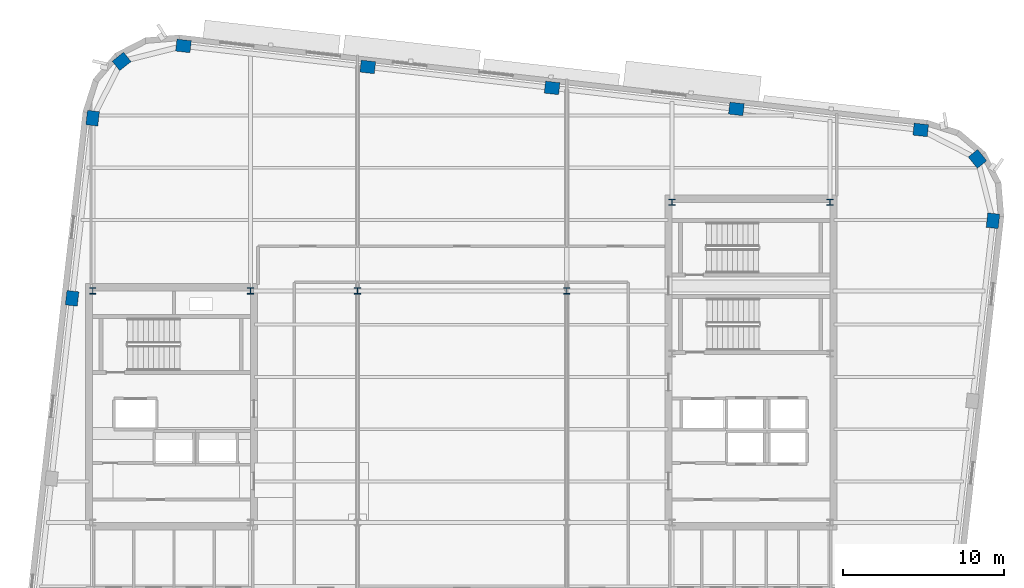
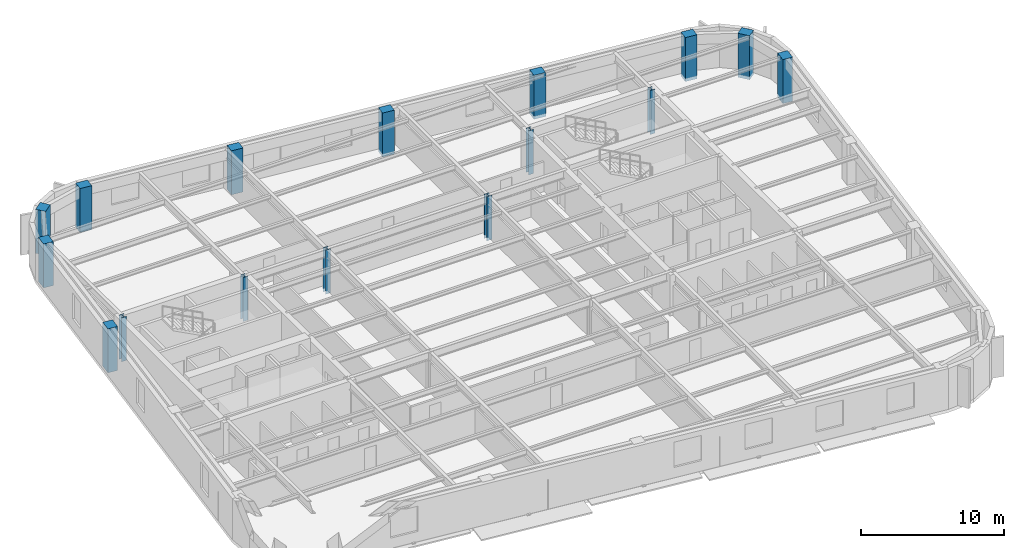
# One storey, part 2 of 14: 16 columns.
"""IFC4 building model written with IfcOpenShell, lengths in metres."""

from ifc_helpers import new_model, si_unit, direction, frame, origin, origin_2d, place, context, subcontext, project, spatial, rectangle, i_section, extrude, material, material_profile, profile_set, type_object, element, save


model = new_model("IFC4")

# Units and contexts
model_context = context("Model", 3, precision=1e-05, world=origin(), true_north=direction((0.0, 1.0)))
body_context = subcontext(model_context, "Body", "Model", "MODEL_VIEW")
ifc_project = project(units=[si_unit("LENGTHUNIT", "METRE"), si_unit("AREAUNIT", "SQUARE_METRE"), si_unit("VOLUMEUNIT", "CUBIC_METRE"), si_unit("PLANEANGLEUNIT", "RADIAN"), si_unit("MASSUNIT", "GRAM", prefix="KILO")], contexts=[model_context])

# Site, building, storey
site_placement = place(None, origin())
site = spatial("IfcSite", under=ifc_project, at=site_placement, CompositionType="ELEMENT")
building_placement = place(site_placement, origin())
building = spatial("IfcBuilding", under=site, at=building_placement, Name="Kolvaren Arena Tower", CompositionType="ELEMENT")
storey_placement = place(building_placement, frame((0.0, 0.0, 235.949951171875)))
storey = spatial("IfcBuildingStorey", under=building, at=storey_placement, Name="L57", CompositionType="ELEMENT", Elevation=235.949951171875)

# Columns
ifc_material_1 = material(Name="Precast concrete C55/67", Category="concrete")
ifc_material_profile_1 = material_profile(ifc_material_1, rectangle(XDim=0.89990234375, YDim=0.75, at=origin_2d()), Name="RC-900x750")
ifc_profile_set_1 = profile_set([ifc_material_profile_1], Name="Precast concrete C55/67")
column_type_1 = type_object("IfcColumnType", Name="EXCOL-Z4", PredefinedType="COLUMN", material=ifc_profile_set_1)
for number, where, z_axis, x_axis, name in (
    (1, (70.482177734375, 38.20458984375, -0.27001953125), (0.0, 0.0, 1.0), (0.113203213768, 0.993571855677, 0.0), "Exoskeleton Perimeter Column 10 (L57)"),
    (2, (69.519775390625, 42.047119140625, -0.27001953125), (0.0, 0.0, 1.0), (-0.622514636638, 0.782608156852, 0.0), "Exoskeleton Perimeter Column 11 (L57)"),
    (3, (65.9921875, 43.84912109375, -0.27001953125), (0.0, 0.0, 1.0), (0.993571855677, -0.113203213768, 0.0), "Exoskeleton Perimeter Column 12 (L57)"),
    (4, (54.54150390625, 45.15380859375, -0.27001953125), (0.0, 0.0, 1.0), (0.993571855677, -0.113203213768, 0.0), "Exoskeleton Perimeter Column 13 (L57)"),
    (5, (43.090576171875, 46.45849609375, -0.27001953125), (0.0, 0.0, 1.0), (0.993571855677, -0.113203213768, 0.0), "Exoskeleton Perimeter Column 14 (L57)"),
    (6, (31.6396484375, 47.76318359375, -0.27001953125), (0.0, 0.0, 1.0), (0.993571855677, -0.113203213768, 0.0), "Exoskeleton Perimeter Column 15 (L57)"),
    (7, (20.188720703125, 49.06787109375, -0.27001953125), (0.0, 0.0, 1.0), (0.993571855677, -0.113203213768, 0.0), "Exoskeleton Perimeter Column 16 (L57)"),
    (8, (16.34619140625, 48.10546875, -0.27001953125), (0.0, 0.0, 1.0), (0.782608156852, 0.622514636638, 0.0), "Exoskeleton Perimeter Column 17 (L57)"),
    (9, (14.544189453125, 44.577880859375, -0.27001953125), (0.0, 0.0, 1.0), (0.113203213768, 0.993571855677, 0.0), "Exoskeleton Perimeter Column 18 (L57)"),
    (10, (13.268798828125, 33.3837890625, -0.27001953125), (0.0, 0.0, 1.0), (0.113203213768, 0.993571855677, 0.0), "Exoskeleton Perimeter Column 19 (L57)"),
):
    element("IfcColumn", number, at=place(storey_placement, frame(where, z_axis=z_axis, x_axis=x_axis)), inside=storey, type_object=column_type_1, Name=name, PredefinedType="COLUMN", context=body_context, shape_type="SweptSolid", body=[
        extrude(rectangle(XDim=0.89990234375, YDim=0.75, at=origin_2d()), origin(), (0.0, 0.0, 1.0), 3.75),
    ])
ifc_material_2 = material(Name="Steel ASTM A913 Grade 65", Category="steel")
ifc_material_profile_2 = material_profile(ifc_material_2, i_section(OverallWidth=0.39892578125, OverallDepth=0.39306640625, WebThickness=0.022705078125, FlangeThickness=0.03662109375, FilletRadius=0.02001953125, at=origin_2d()), Name="W360x287")
ifc_profile_set_2 = profile_set([ifc_material_profile_2], Name="Steel ASTM A913 Grade 65")
column_type_2 = type_object("IfcColumnType", Name="SCOL-Z4", PredefinedType="COLUMN", material=ifc_profile_set_2)
for number, where, z_axis, x_axis, name in (
    (11, (14.550048828125, 33.85009765625, -0.27001953125), (0.0, 0.0, 1.0), (1.0, 0.0, 0.0), "Core Boundary Column WC-NW (L57)"),
    (12, (24.35009765625, 33.85009765625, -0.27001953125), (0.0, 0.0, 1.0), (1.0, 0.0, 0.0), "Core Boundary Column WC-NE (L57)"),
    (13, (50.550048828125, 39.35009765625, -0.27001953125), (0.0, 0.0, 1.0), (1.0, 0.0, 0.0), "Core Boundary Column EC-NW (L57)"),
    (14, (60.35009765625, 39.35009765625, -0.27001953125), (0.0, 0.0, 1.0), (1.0, 0.0, 0.0), "Core Boundary Column EC-NE (L57)"),
    (15, (31.0, 33.85009765625, -0.27001953125), (0.0, 0.0, 1.0), (1.0, 0.0, 0.0), "Interior Gravity Column TC-NW (L57)"),
    (16, (44.0, 33.85009765625, -0.27001953125), (0.0, 0.0, 1.0), (1.0, 0.0, 0.0), "Interior Gravity Column TC-NE (L57)"),
):
    element("IfcColumn", number, at=place(storey_placement, frame(where, z_axis=z_axis, x_axis=x_axis)), inside=storey, type_object=column_type_2, Name=name, PredefinedType="COLUMN", context=body_context, shape_type="SweptSolid", body=[
        extrude(i_section(OverallWidth=0.39892578125, OverallDepth=0.39306640625, WebThickness=0.022705078125, FlangeThickness=0.03662109375, FilletRadius=0.02001953125, at=origin_2d()), origin(), (0.0, 0.0, 1.0), 3.75),
    ])

save(model, "model.ifc")
